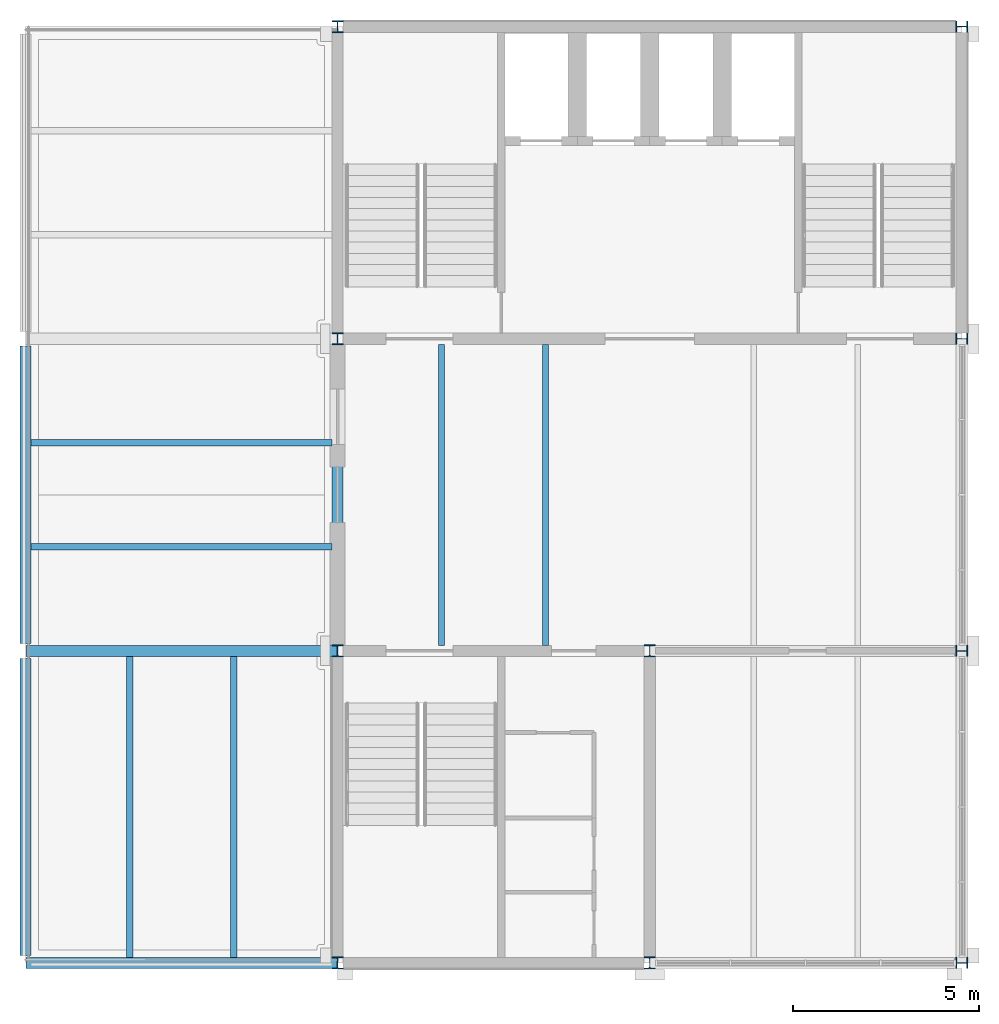
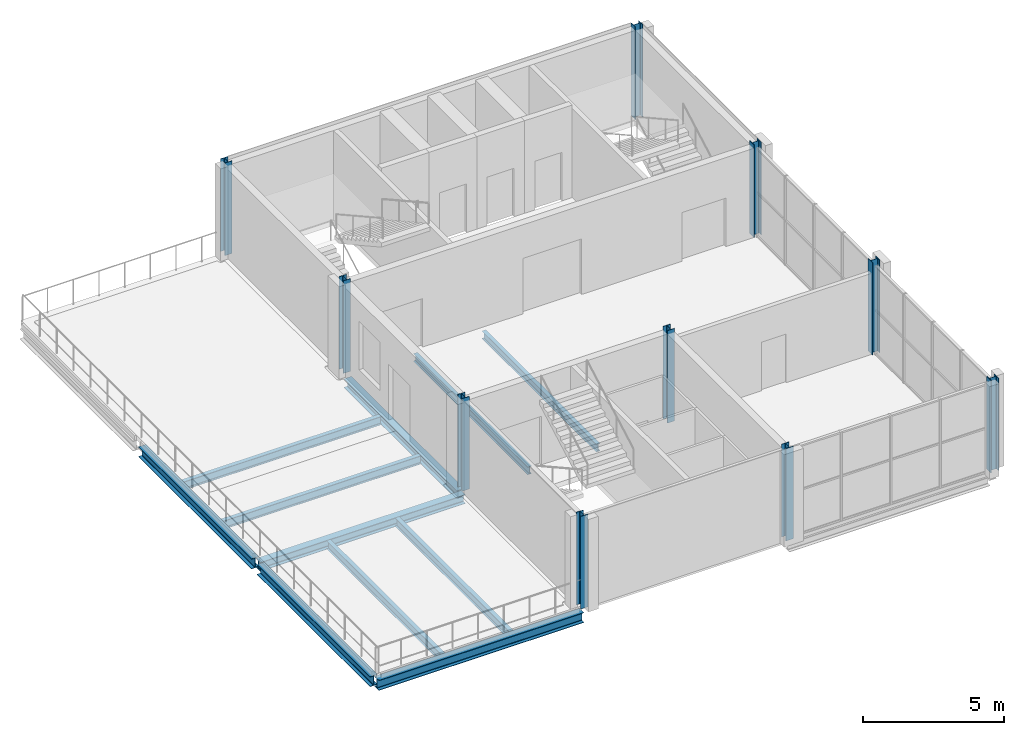
# One storey, part 1 of 6: 11 beams, 10 columns.
"""IFC4 building model written with IfcOpenShell, lengths in metres."""

from ifc_helpers import new_model, si_unit, direction, frame, origin, origin_2d, place, context, subcontext, project, spatial, i_section, extrude, material, material_profile, profile_set, type_object, element, save


model = new_model("IFC4")

# Units and contexts
model_context = context("Model", 3, precision=1e-05, world=origin(), true_north=direction((0.0, 1.0)))
body_context = subcontext(model_context, "Body", "Model", "MODEL_VIEW")
ifc_project = project(units=[si_unit("LENGTHUNIT", "METRE"), si_unit("AREAUNIT", "SQUARE_METRE"), si_unit("VOLUMEUNIT", "CUBIC_METRE"), si_unit("PLANEANGLEUNIT", "RADIAN"), si_unit("MASSUNIT", "GRAM", prefix="KILO")], contexts=[model_context])

# Site, building, storey
site_placement = place(None, origin())
site = spatial("IfcSite", under=ifc_project, at=site_placement, CompositionType="ELEMENT")
building_placement = place(site_placement, origin())
building = spatial("IfcBuilding", under=site, at=building_placement, Name="Galleria Vessillo Department Store", CompositionType="ELEMENT")
storey_placement = place(building_placement, frame((0.0, 0.0, 59.60009765625)))
storey = spatial("IfcBuildingStorey", under=building, at=storey_placement, Name="L13", CompositionType="ELEMENT", Elevation=59.60009765625)

# Columns
ifc_material_1 = material(Name="Steel S355 J2", Category="steel")
ifc_material_profile_1 = material_profile(ifc_material_1, i_section(OverallWidth=0.300048828125, OverallDepth=0.320068359375, WebThickness=0.011474609375, FlangeThickness=0.0205078125, FilletRadius=0.027099609375, at=origin_2d()), Name="HEB 320")
ifc_profile_set_1 = profile_set([ifc_material_profile_1], Name="Steel S355 J2")
column_type = type_object("IfcColumnType", Name="Steel column HEB 320 CT5", PredefinedType="COLUMN", material=ifc_profile_set_1)
for number, where, z_axis, x_axis, name in (
    (1, (100.800048828125, 37.800048828125, 0.0), (0.0, 0.0, 1.0), (1.0, 0.0, 0.0), "S-COL-L13-13-E"),
    (2, (100.800048828125, 46.199951171875, 0.0), (0.0, 0.0, 1.0), (1.0, 0.0, 0.0), "S-COL-L13-13-F"),
    (3, (100.800048828125, 54.60009765625, 0.0), (0.0, 0.0, 1.0), (1.0, 0.0, 0.0), "S-COL-L13-13-G"),
    (4, (100.800048828125, 63.0, 0.0), (0.0, 0.0, 1.0), (1.0, 0.0, 0.0), "S-COL-L13-13-H"),
    (5, (109.199951171875, 37.800048828125, 0.0), (0.0, 0.0, 1.0), (1.0, 0.0, 0.0), "S-COL-L13-14-E"),
    (6, (109.199951171875, 46.199951171875, 0.0), (0.0, 0.0, 1.0), (1.0, 0.0, 0.0), "S-COL-L13-14-F"),
    (7, (117.60009765625, 37.800048828125, 0.0), (0.0, 0.0, 1.0), (0.0, 1.0, 0.0), "S-COL-L13-15-E"),
    (8, (117.60009765625, 46.199951171875, 0.0), (0.0, 0.0, 1.0), (0.0, 1.0, 0.0), "S-COL-L13-15-F"),
    (9, (117.60009765625, 54.60009765625, 0.0), (0.0, 0.0, 1.0), (0.0, 1.0, 0.0), "S-COL-L13-15-G"),
    (10, (117.60009765625, 63.0, 0.0), (0.0, 0.0, 1.0), (0.0, 1.0, 0.0), "S-COL-L13-15-H"),
):
    element("IfcColumn", number, at=place(storey_placement, frame(where, z_axis=z_axis, x_axis=x_axis)), inside=storey, type_object=column_type, Name=name, PredefinedType="COLUMN", context=body_context, shape_type="SweptSolid", body=[
        extrude(i_section(OverallWidth=0.300048828125, OverallDepth=0.320068359375, WebThickness=0.011474609375, FlangeThickness=0.0205078125, FilletRadius=0.027099609375, at=origin_2d()), origin(), (0.0, 0.0, 1.0), 4.0),
    ])

# Beams
ifc_material_2 = material(Name="Steel S355 J2", Category="steel")
ifc_material_profile_2 = material_profile(ifc_material_2, i_section(OverallWidth=0.300048828125, OverallDepth=0.389892578125, WebThickness=0.010986328125, FlangeThickness=0.01904296875, FilletRadius=0.027099609375, at=origin_2d()), Name="HEA 400")
ifc_profile_set_2 = profile_set([ifc_material_profile_2], Name="Steel S355 J2")
beam_type_1 = type_object("IfcBeamType", Name="Floor girder HEA 400", PredefinedType="BEAM", material=ifc_profile_set_2)
beam_1_placement = place(storey_placement, frame((92.406982421875, 46.199951171875, -0.39501953125), z_axis=(1.0, 0.0, 0.0), x_axis=(0.0, 1.0, 0.0)))
element("IfcBeam", 11, at=beam_1_placement, inside=storey, type_object=beam_type_1, Name="S-BM-L13-GI-x46200-92407", PredefinedType="BEAM", context=body_context, shape_type="SweptSolid", body=[
    extrude(i_section(OverallWidth=0.300048828125, OverallDepth=0.389892578125, WebThickness=0.010986328125, FlangeThickness=0.01904296875, FilletRadius=0.027099609375, at=origin_2d()), origin(), (0.0, 0.0, 1.0), 8.38623046875),
])
beam_2_placement = place(storey_placement, frame((100.800048828125, 46.400146484375, -0.39501953125), z_axis=(0.0, 1.0, 0.0), x_axis=(-1.0, 0.0, 0.0)))
element("IfcBeam", 12, at=beam_2_placement, inside=storey, type_object=beam_type_1, Name="S-BM-L13-GI-y100800-46400", PredefinedType="BEAM", context=body_context, shape_type="SweptSolid", body=[
    extrude(i_section(OverallWidth=0.300048828125, OverallDepth=0.389892578125, WebThickness=0.010986328125, FlangeThickness=0.01904296875, FilletRadius=0.027099609375, at=origin_2d()), origin(), (0.0, 0.0, 1.0), 7.999755859375),
])
ifc_material_3 = material(Name="Steel S355 J2", Category="steel")
ifc_material_profile_3 = material_profile(ifc_material_3, i_section(OverallWidth=0.159912109375, OverallDepth=0.330078125, WebThickness=0.007568359375, FlangeThickness=0.011474609375, FilletRadius=0.01806640625, at=origin_2d()), Name="IPE 330")
ifc_profile_set_3 = profile_set([ifc_material_profile_3], Name="Steel S355 J2")
beam_type_2 = type_object("IfcBeamType", Name="Floor joist IPE 330", PredefinedType="JOIST", material=ifc_profile_set_3)
for number, where, z_axis, x_axis, name in (
    (13, (103.60009765625, 46.35009765625, -0.31494140625), (0.0, 1.0, 0.0), (-1.0, 0.0, 0.0), "S-BM-L13-JO-y103600-46350"),
    (14, (106.39990234375, 46.35009765625, -0.31494140625), (0.0, 1.0, 0.0), (-1.0, 0.0, 0.0), "S-BM-L13-JO-y106400-46350"),
):
    element("IfcBeam", number, at=place(storey_placement, frame(where, z_axis=z_axis, x_axis=x_axis)), inside=storey, type_object=beam_type_2, Name=name, PredefinedType="JOIST", context=body_context, shape_type="SweptSolid", body=[
        extrude(i_section(OverallWidth=0.159912109375, OverallDepth=0.330078125, WebThickness=0.007568359375, FlangeThickness=0.011474609375, FilletRadius=0.01806640625, at=origin_2d()), origin(), (0.0, 0.0, 1.0), 8.099853515625),
    ])
ifc_material_4 = material(Name="Steel S355 J2", Category="steel")
ifc_material_profile_4 = material_profile(ifc_material_4, i_section(OverallWidth=0.169921875, OverallDepth=0.360107421875, WebThickness=0.008056640625, FlangeThickness=0.0126953125, FilletRadius=0.01806640625, at=origin_2d()), Name="IPE 360")
ifc_profile_set_4 = profile_set([ifc_material_profile_4], Name="Steel S355 J2")
beam_type_3 = type_object("IfcBeamType", Name="Floor joist IPE 360", PredefinedType="JOIST", material=ifc_profile_set_4)
for number, where, z_axis, x_axis, name in (
    (15, (95.199951171875, 37.9501953125, -0.3798828125), (0.0, 1.0, 0.0), (-1.0, 0.0, 0.0), "S-BM-L13-JO-y95200-37950"),
    (16, (98.0, 37.9501953125, -0.3798828125), (0.0, 1.0, 0.0), (-1.0, 0.0, 0.0), "S-BM-L13-JO-y98000-37950"),
):
    element("IfcBeam", number, at=place(storey_placement, frame(where, z_axis=z_axis, x_axis=x_axis)), inside=storey, type_object=beam_type_3, Name=name, PredefinedType="JOIST", context=body_context, shape_type="SweptSolid", body=[
        extrude(i_section(OverallWidth=0.169921875, OverallDepth=0.360107421875, WebThickness=0.008056640625, FlangeThickness=0.0126953125, FilletRadius=0.01806640625, at=origin_2d()), origin(), (0.0, 0.0, 1.0), 8.099609375),
    ])
for number, where, z_axis, x_axis, name in (
    (17, (92.550048828125, 49.0, -0.3798828125), (1.0, 0.0, 0.0), (0.0, 1.0, 0.0), "S-BM-L13-JO-x49000-92550"),
    (18, (92.550048828125, 51.800048828125, -0.3798828125), (1.0, 0.0, 0.0), (0.0, 1.0, 0.0), "S-BM-L13-JO-x51800-92550"),
):
    element("IfcBeam", number, at=place(storey_placement, frame(where, z_axis=z_axis, x_axis=x_axis)), inside=storey, type_object=beam_type_3, Name=name, PredefinedType="JOIST", context=body_context, shape_type="SweptSolid", body=[
        extrude(i_section(OverallWidth=0.169921875, OverallDepth=0.360107421875, WebThickness=0.008056640625, FlangeThickness=0.0126953125, FilletRadius=0.01806640625, at=origin_2d()), origin(), (0.0, 0.0, 1.0), 8.099853515625),
    ])
ifc_material_5 = material(Name="Steel S355 J2", Category="steel")
ifc_material_profile_5 = material_profile(ifc_material_5, i_section(OverallWidth=0.300048828125, OverallDepth=0.43994140625, WebThickness=0.011474609375, FlangeThickness=0.02099609375, FilletRadius=0.027099609375, at=origin_2d()), Name="HEA 450")
ifc_profile_set_5 = profile_set([ifc_material_profile_5], Name="Steel S355 J2")
beam_type_4 = type_object("IfcBeamType", Name="Trimmer beam HEA 450", PredefinedType="BEAM", material=ifc_profile_set_5)
beam_3_placement = place(storey_placement, frame((92.406982421875, 37.800048828125, -0.419921875), z_axis=(1.0, 0.0, 0.0), x_axis=(0.0, 1.0, 0.0)))
element("IfcBeam", 19, at=beam_3_placement, inside=storey, type_object=beam_type_4, Name="S-BM-L13-TR-x37800-92407", PredefinedType="BEAM", context=body_context, shape_type="SweptSolid", body=[
    extrude(i_section(OverallWidth=0.300048828125, OverallDepth=0.43994140625, WebThickness=0.011474609375, FlangeThickness=0.02099609375, FilletRadius=0.027099609375, at=origin_2d()), origin(), (0.0, 0.0, 1.0), 8.38623046875),
])
beam_4_placement = place(storey_placement, frame((92.39990234375, 38.000244140625, -0.419921875), z_axis=(0.0, 1.0, 0.0), x_axis=(-1.0, 0.0, 0.0)))
element("IfcBeam", 20, at=beam_4_placement, inside=storey, type_object=beam_type_4, Name="S-BM-L13-TR-y92400-38000", PredefinedType="BEAM", context=body_context, shape_type="SweptSolid", body=[
    extrude(i_section(OverallWidth=0.300048828125, OverallDepth=0.43994140625, WebThickness=0.011474609375, FlangeThickness=0.02099609375, FilletRadius=0.027099609375, at=origin_2d()), origin(), (0.0, 0.0, 1.0), 7.99951171875),
])
beam_5_placement = place(storey_placement, frame((92.39990234375, 46.400146484375, -0.419921875), z_axis=(0.0, 1.0, 0.0), x_axis=(-1.0, 0.0, 0.0)))
element("IfcBeam", 21, at=beam_5_placement, inside=storey, type_object=beam_type_4, Name="S-BM-L13-TR-y92400-46400", PredefinedType="BEAM", context=body_context, shape_type="SweptSolid", body=[
    extrude(i_section(OverallWidth=0.300048828125, OverallDepth=0.43994140625, WebThickness=0.011474609375, FlangeThickness=0.02099609375, FilletRadius=0.027099609375, at=origin_2d()), origin(), (0.0, 0.0, 1.0), 7.999755859375),
])

save(model, "model.ifc")
